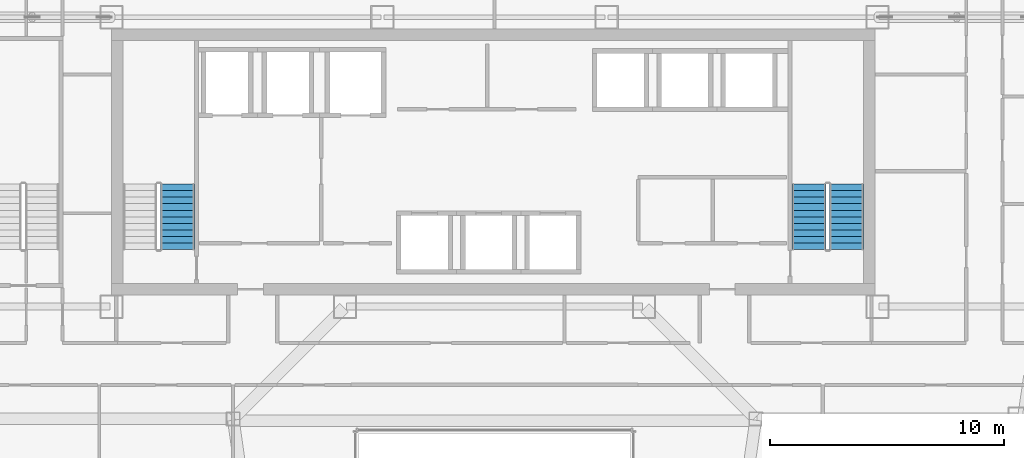
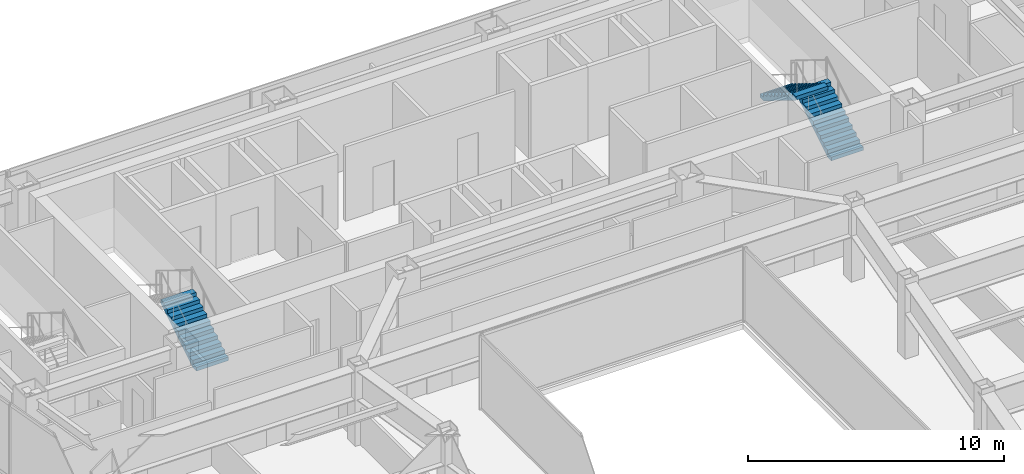
# One storey, part 34 of 37: 3 stair flights, 2 elements without a shape of their own.
"""IFC4 building model written with IfcOpenShell, lengths in metres."""

from ifc_helpers import new_model, si_unit, direction, frame, origin, place, context, subcontext, project, spatial, polyline, outline, extrude, material, type_object, element, aggregate, save


model = new_model("IFC4")

# Units and contexts
model_context = context("Model", 3, precision=1e-05, world=origin(), true_north=direction((0.0, 1.0)))
body_context = subcontext(model_context, "Body", "Model", "MODEL_VIEW")
ifc_project = project(units=[si_unit("LENGTHUNIT", "METRE"), si_unit("AREAUNIT", "SQUARE_METRE"), si_unit("VOLUMEUNIT", "CUBIC_METRE"), si_unit("PLANEANGLEUNIT", "RADIAN"), si_unit("MASSUNIT", "GRAM", prefix="KILO")], contexts=[model_context])

# Site, building, storey
site_placement = place(None, origin())
site = spatial("IfcSite", under=ifc_project, at=site_placement, CompositionType="ELEMENT")
building_placement = place(site_placement, origin())
building = spatial("IfcBuilding", under=site, at=building_placement, Name="Saevonmaru Cultural Tower", CompositionType="ELEMENT")
storey_placement = place(building_placement, frame((0.0, 0.0, 163.800048828125)))
storey = spatial("IfcBuildingStorey", under=building, at=storey_placement, Name="L36", CompositionType="ELEMENT", Elevation=163.800048828125)

# Stair, stair flight
ifc_material_1 = material(Name="Concrete C40/50", Category="concrete")
stair_type = type_object("IfcStairType", Name="STR-DOGLEG-RC", PredefinedType="HALF_TURN_STAIR", material=ifc_material_1)
stair_1_placement = place(storey_placement, origin())
stair_1 = element("IfcStair", 1, at=stair_1_placement, inside=storey, type_object=stair_type, Name="L36 Protected exit stair ST-1", PredefinedType="HALF_TURN_STAIR")
ifc_material_2 = material(Name="Precast concrete C40/50", Category="concrete")
stair_flight_type = type_object("IfcStairFlightType", Name="STF-PRECAST-180", PredefinedType="STRAIGHT", material=ifc_material_2)
stair_flight_1_placement = place(storey_placement, frame((16.425048828125, 44.85009765625, 0.0), z_axis=(0.0, 0.0, 1.0), x_axis=(0.0, 1.0, 0.0)))
stair_flight_1 = element("IfcStairFlight", 2, at=stair_flight_1_placement, type_object=stair_flight_type, Name="ST-1-L36 flight 1", NumberOfRisers=11, NumberOfTreads=10, PredefinedType="STRAIGHT", RiserHeight=0.172727273, TreadLength=0.28, context=body_context, shape_type="SweptSolid", body=[
    extrude(outline(polyline([(0.0, 0.0), (0.0, 0.172607421875), (0.280029296875, 0.172607421875), (0.280029296875, 0.345458984375), (0.56005859375, 0.345458984375), (0.56005859375, 0.51806640625), (0.840087890625, 0.51806640625), (0.840087890625, 0.69091796875), (1.1201171875, 0.69091796875), (1.1201171875, 0.863525390625), (1.39990234375, 0.863525390625), (1.39990234375, 1.036376953125), (1.679931640625, 1.036376953125), (1.679931640625, 1.208984375), (1.9599609375, 1.208984375), (1.9599609375, 1.3818359375), (2.239990234375, 1.3818359375), (2.239990234375, 1.554443359375), (2.52001953125, 1.554443359375), (2.52001953125, 1.727294921875), (2.800048828125, 1.727294921875), (2.800048828125, 1.89990234375), (2.800048828125, 1.551025390625), (0.285400390625, 0.0), (0.0, 0.0)])), frame((0.0, 0.72509765625, 0.0), z_axis=(0.0, -1.0, 0.0), x_axis=(1.0, 0.0, 0.0)), (0.0, 0.0, 1.0), 1.449951171875),
])
aggregate(stair_1, [stair_flight_1])

# Stair, stair flights
stair_2_placement = place(storey_placement, origin())
stair_2 = element("IfcStair", 3, at=stair_2_placement, inside=storey, type_object=stair_type, Name="L36 Protected exit stair ST-2", PredefinedType="HALF_TURN_STAIR")
stair_flight_2_placement = place(storey_placement, frame((45.074951171875, 44.85009765625, 0.0), z_axis=(0.0, 0.0, 1.0), x_axis=(0.0, 1.0, 0.0)))
stair_flight_2 = element("IfcStairFlight", 4, at=stair_flight_2_placement, type_object=stair_flight_type, Name="ST-2-L36 flight 1", NumberOfRisers=11, NumberOfTreads=10, PredefinedType="STRAIGHT", RiserHeight=0.172727273, TreadLength=0.28, context=body_context, shape_type="SweptSolid", body=[
    extrude(outline(polyline([(0.0, 0.0), (0.0, 0.172607421875), (0.280029296875, 0.172607421875), (0.280029296875, 0.345458984375), (0.56005859375, 0.345458984375), (0.56005859375, 0.51806640625), (0.840087890625, 0.51806640625), (0.840087890625, 0.69091796875), (1.1201171875, 0.69091796875), (1.1201171875, 0.863525390625), (1.39990234375, 0.863525390625), (1.39990234375, 1.036376953125), (1.679931640625, 1.036376953125), (1.679931640625, 1.208984375), (1.9599609375, 1.208984375), (1.9599609375, 1.3818359375), (2.239990234375, 1.3818359375), (2.239990234375, 1.554443359375), (2.52001953125, 1.554443359375), (2.52001953125, 1.727294921875), (2.800048828125, 1.727294921875), (2.800048828125, 1.89990234375), (2.800048828125, 1.551025390625), (0.285400390625, 0.0), (0.0, 0.0)])), frame((0.0, 0.72509765625, 0.0), z_axis=(0.0, -1.0, 0.0), x_axis=(1.0, 0.0, 0.0)), (0.0, 0.0, 1.0), 1.449951171875),
])
stair_flight_3_placement = place(storey_placement, frame((43.47509765625, 47.64990234375, 1.89990234375), z_axis=(0.0, 0.0, 1.0), x_axis=(0.0, -1.0, 0.0)))
stair_flight_3 = element("IfcStairFlight", 5, at=stair_flight_3_placement, type_object=stair_flight_type, Name="ST-2-L36 flight 2", NumberOfRisers=11, NumberOfTreads=10, PredefinedType="STRAIGHT", RiserHeight=0.172727273, TreadLength=0.28, context=body_context, shape_type="SweptSolid", body=[
    extrude(outline(polyline([(0.0, 0.0), (0.0, 0.172607421875), (0.280029296875, 0.172607421875), (0.280029296875, 0.345458984375), (0.56005859375, 0.345458984375), (0.56005859375, 0.51806640625), (0.840087890625, 0.51806640625), (0.840087890625, 0.69091796875), (1.1201171875, 0.69091796875), (1.1201171875, 0.863525390625), (1.39990234375, 0.863525390625), (1.39990234375, 1.036376953125), (1.679931640625, 1.036376953125), (1.679931640625, 1.208984375), (1.9599609375, 1.208984375), (1.9599609375, 1.3818359375), (2.239990234375, 1.3818359375), (2.239990234375, 1.554443359375), (2.52001953125, 1.554443359375), (2.52001953125, 1.727294921875), (2.800048828125, 1.727294921875), (2.800048828125, 1.89990234375), (2.800048828125, 1.551025390625), (0.285400390625, 0.0), (0.0, 0.0)])), frame((0.0, 0.72509765625, 0.0), z_axis=(0.0, -1.0, 0.0), x_axis=(1.0, 0.0, 0.0)), (0.0, 0.0, 1.0), 1.449951171875),
])
aggregate(stair_2, [stair_flight_2, stair_flight_3])

save(model, "model.ifc")
